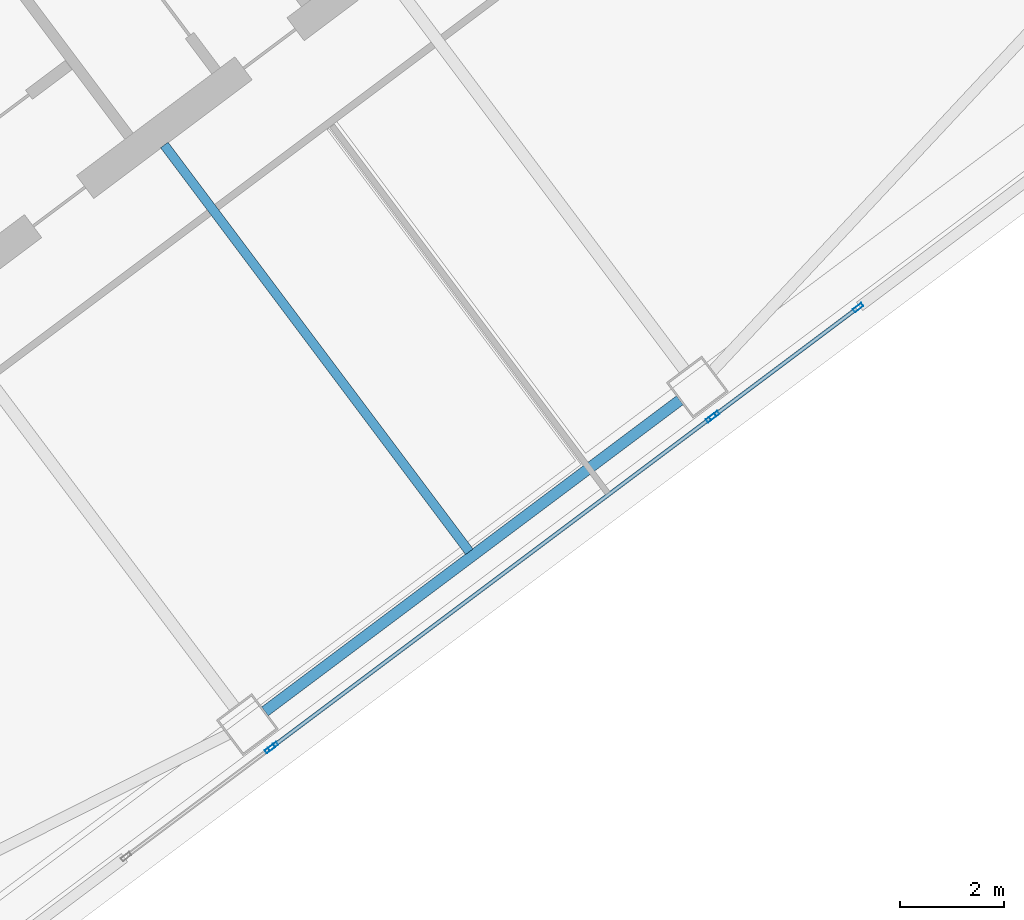
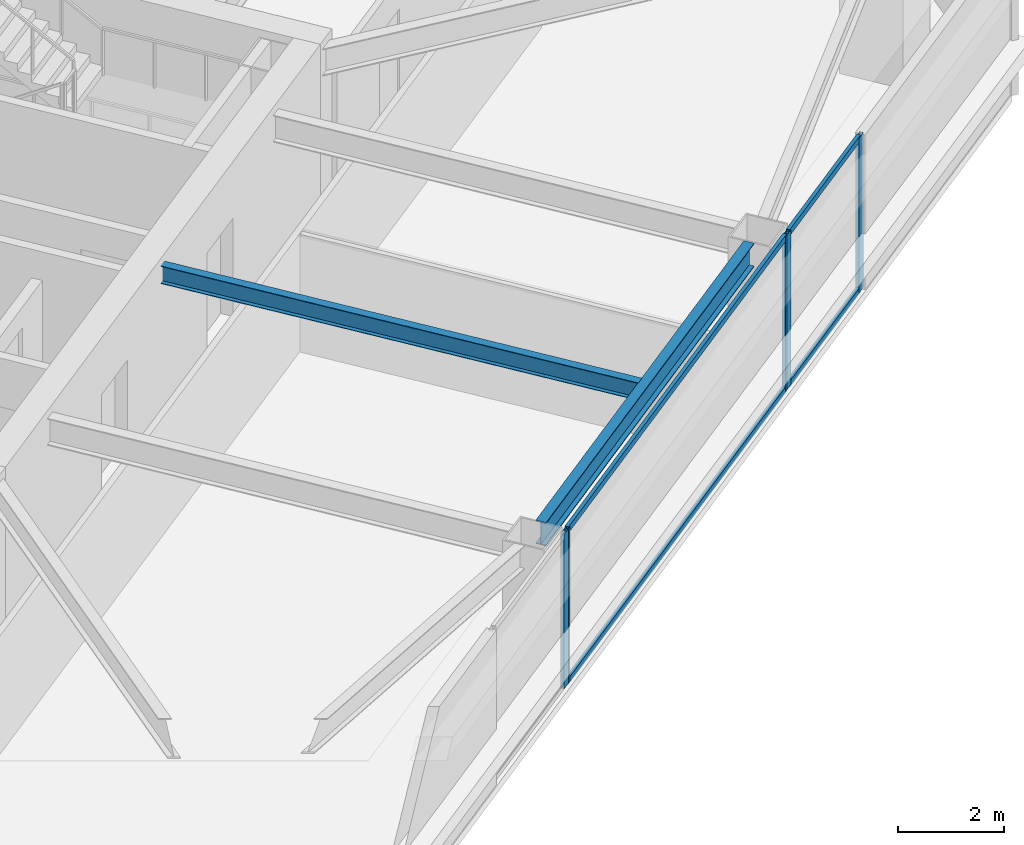
# One storey, part 22 of 40: 9 members, 2 beams, 3 elements without a shape of their own.
"""IFC4 building model written with IfcOpenShell, lengths in metres."""

from ifc_helpers import new_model, si_unit, direction, frame, origin, origin_2d, place, context, subcontext, project, spatial, hollow_rectangle, i_section, extrude, material, material_profile, profile_set, type_object, element, aggregate, save


model = new_model("IFC4")

# Units and contexts
model_context = context("Model", 3, precision=1e-05, world=origin(), true_north=direction((0.0, 1.0)))
body_context = subcontext(model_context, "Body", "Model", "MODEL_VIEW")
ifc_project = project(units=[si_unit("LENGTHUNIT", "METRE"), si_unit("AREAUNIT", "SQUARE_METRE"), si_unit("VOLUMEUNIT", "CUBIC_METRE"), si_unit("PLANEANGLEUNIT", "RADIAN"), si_unit("MASSUNIT", "GRAM", prefix="KILO")], contexts=[model_context])

# Site, building, storey
site_placement = place(None, origin())
site = spatial("IfcSite", under=ifc_project, at=site_placement, CompositionType="ELEMENT")
building_placement = place(site_placement, origin())
building = spatial("IfcBuilding", under=site, at=building_placement, Name="Tashvorn Skyway Center", CompositionType="ELEMENT")
storey_placement = place(building_placement, frame((0.0, 0.0, 142.800048828125)))
storey = spatial("IfcBuildingStorey", under=building, at=storey_placement, Name="L38", CompositionType="ELEMENT", Elevation=142.800048828125)

# Beams
ifc_material_1 = material(Name="Steel ASTM A992 Grade 50", Category="steel")
ifc_material_profile_1 = material_profile(ifc_material_1, i_section(OverallWidth=0.177978515625, OverallDepth=0.406005859375, WebThickness=0.0078125, FlangeThickness=0.0126953125, at=origin_2d()), Name="W16X40")
ifc_profile_set_1 = profile_set([ifc_material_profile_1], Name="Steel ASTM A992 Grade 50")
beam_type_1 = type_object("IfcBeamType", Name="BM-JOIST-W16X40", PredefinedType="JOIST", material=ifc_profile_set_1)
beam_1_placement = place(storey_placement, frame((118.674072265625, 25.76806640625, 3.1669921875), z_axis=(0.599991997409, -0.800006001881, 0.0), x_axis=(0.800006001881, 0.599991997409, 0.0)))
element("IfcBeam", 1, at=beam_1_placement, inside=storey, type_object=beam_type_1, Name="Tower 2 L38 Secondary Composite Joist JS", PredefinedType="JOIST", context=body_context, shape_type="SweptSolid", body=[
    extrude(i_section(OverallWidth=0.177978515625, OverallDepth=0.406005859375, WebThickness=0.0078125, FlangeThickness=0.0126953125, at=origin_2d()), origin(), (0.0, 0.0, 1.0), 9.762451171875),
])
ifc_material_profile_2 = material_profile(ifc_material_1, i_section(OverallWidth=0.2109375, OverallDepth=0.5390625, WebThickness=0.01171875, FlangeThickness=0.018798828125, at=origin_2d()), Name="W21X73")
ifc_profile_set_2 = profile_set([ifc_material_profile_2], Name="Steel ASTM A992 Grade 50")
beam_type_2 = type_object("IfcBeamType", Name="BM-SPANDREL-W21X73", PredefinedType="SPANDREL", material=ifc_profile_set_2)
beam_2_placement = place(storey_placement, frame((120.60595703125, 14.89208984375, 3.100341796875), z_axis=(0.800008824351, 0.599988234018, 0.0), x_axis=(-0.599988234018, 0.800008824351, 0.0)))
element("IfcBeam", 2, at=beam_2_placement, inside=storey, type_object=beam_type_2, Name="Tower 2 L38 Spandrel Beam 02", PredefinedType="SPANDREL", context=body_context, shape_type="SweptSolid", body=[
    extrude(i_section(OverallWidth=0.2109375, OverallDepth=0.5390625, WebThickness=0.01171875, FlangeThickness=0.018798828125, at=origin_2d()), origin(), (0.0, 0.0, 1.0), 9.9599609375),
])

# Curtain wall, members
ifc_material_2 = material(Name="Thermally broken bronze-anodized aluminium 6063-T6", Category="aluminium")
curtain_wall_type = type_object("IfcCurtainWallType", Name="CW-CW-Z3", PredefinedType="NOTDEFINED", material=ifc_material_2)
curtain_wall_1_placement = place(storey_placement, origin())
curtain_wall_1 = element("IfcCurtainWall", 3, at=curtain_wall_1_placement, inside=storey, type_object=curtain_wall_type, Name="Tower 2 L38 South Unitised Curtain Wall Glazing Group 1", PredefinedType="NOTDEFINED")
ifc_material_profile_3 = material_profile(ifc_material_2, hollow_rectangle(XDim=0.074951171875, YDim=0.199951171875, WallThickness=0.00439453125, at=origin_2d()), Name="ALU-MULL-75x200")
ifc_profile_set_3 = profile_set([ifc_material_profile_3], Name="Thermally broken bronze-anodized aluminium 6063-T6")
member_type_1 = type_object("IfcMemberType", Name="CWM-CW-Z3", PredefinedType="MULLION", material=ifc_profile_set_3)
member_1_placement = place(storey_placement, frame((131.995849609375, 22.646728515625, 0.0), z_axis=(0.0, 0.0, 1.0), x_axis=(0.599995465948, -0.800003400519, 0.0)))
member_1 = element("IfcMember", 4, at=member_1_placement, type_object=member_type_1, Name="CW-Z3 mullion 1", PredefinedType="MULLION", context=body_context, shape_type="SweptSolid", body=[
    extrude(hollow_rectangle(XDim=0.074951171875, YDim=0.199951171875, WallThickness=0.00439453125, at=origin_2d()), origin(), (0.0, 0.0, 1.0), 3.550048828125),
])
member_2_placement = place(storey_placement, frame((129.232666015625, 20.574462890625, 0.0), z_axis=(0.0, 0.0, 1.0), x_axis=(0.599995465948, -0.800003400519, 0.0)))
member_2 = element("IfcMember", 5, at=member_2_placement, type_object=member_type_1, Name="CW-Z3 mullion 2", PredefinedType="MULLION", context=body_context, shape_type="SweptSolid", body=[
    extrude(hollow_rectangle(XDim=0.074951171875, YDim=0.199951171875, WallThickness=0.00439453125, at=origin_2d()), origin(), (0.0, 0.0, 1.0), 3.550048828125),
])

curtain_wall_2_placement = place(storey_placement, origin())
curtain_wall_2 = element("IfcCurtainWall", 6, at=curtain_wall_2_placement, inside=storey, type_object=curtain_wall_type, Name="Tower 2 L38 South Unitised Curtain Wall Glazing Group 2", PredefinedType="NOTDEFINED")
member_3_placement = place(storey_placement, frame((129.172607421875, 20.529541015625, 0.0), z_axis=(0.0, 0.0, 1.0), x_axis=(0.599996977339, -0.800002266987, 0.0)))
member_3 = element("IfcMember", 7, at=member_3_placement, type_object=member_type_1, Name="CW-Z3 mullion 1", PredefinedType="MULLION", context=body_context, shape_type="SweptSolid", body=[
    extrude(hollow_rectangle(XDim=0.074951171875, YDim=0.199951171875, WallThickness=0.00439453125, at=origin_2d()), origin(), (0.0, 0.0, 1.0), 3.550048828125),
])
member_4_placement = place(storey_placement, frame((120.76318359375, 14.222412109375, 0.0), z_axis=(0.0, 0.0, 1.0), x_axis=(0.599996977339, -0.800002266987, 0.0)))
member_4 = element("IfcMember", 8, at=member_4_placement, type_object=member_type_1, Name="CW-Z3 mullion 2", PredefinedType="MULLION", context=body_context, shape_type="SweptSolid", body=[
    extrude(hollow_rectangle(XDim=0.074951171875, YDim=0.199951171875, WallThickness=0.00439453125, at=origin_2d()), origin(), (0.0, 0.0, 1.0), 3.550048828125),
])

# Curtain wall, member
curtain_wall_3_placement = place(storey_placement, origin())
curtain_wall_3 = element("IfcCurtainWall", 9, at=curtain_wall_3_placement, inside=storey, type_object=curtain_wall_type, Name="Tower 2 L38 South Unitised Curtain Wall Glazing Group 3", PredefinedType="NOTDEFINED")
member_5_placement = place(storey_placement, frame((120.703369140625, 14.177490234375, 0.0), z_axis=(0.0, 0.0, 1.0), x_axis=(0.599995465948, -0.800003400519, 0.0)))
member_5 = element("IfcMember", 10, at=member_5_placement, type_object=member_type_1, Name="CW-Z3 mullion 1", PredefinedType="MULLION", context=body_context, shape_type="SweptSolid", body=[
    extrude(hollow_rectangle(XDim=0.074951171875, YDim=0.199951171875, WallThickness=0.00439453125, at=origin_2d()), origin(), (0.0, 0.0, 1.0), 3.550048828125),
])
aggregate(curtain_wall_3, [member_5])

# Member
ifc_material_profile_4 = material_profile(ifc_material_2, hollow_rectangle(XDim=0.074951171875, YDim=0.139892578125, WallThickness=0.004150390625, at=origin_2d()), Name="ALU-TRAN-75x140")
ifc_profile_set_4 = profile_set([ifc_material_profile_4], Name="Thermally broken bronze-anodized aluminium 6063-T6")
member_type_2 = type_object("IfcMemberType", Name="CWT-CW-Z3", PredefinedType="USERDEFINED", material=ifc_profile_set_4)
member_6_placement = place(storey_placement, frame((131.9658203125, 22.624267578125, 0.037353515625), z_axis=(-0.8, -0.6, 0.0), x_axis=(0.6, -0.8, 0.0)))
member_6 = element("IfcMember", 11, at=member_6_placement, type_object=member_type_2, Name="CW-Z3 transom 1.1", ObjectType="TRANSOM", PredefinedType="USERDEFINED", context=body_context, shape_type="SweptSolid", body=[
    extrude(hollow_rectangle(XDim=0.074951171875, YDim=0.139892578125, WallThickness=0.004150390625, at=origin_2d()), origin(), (0.0, 0.0, 1.0), 3.37890625),
])

member_7_placement = place(storey_placement, frame((131.9658203125, 22.624267578125, 3.512451171875), z_axis=(-0.8, -0.6, 0.0), x_axis=(0.6, -0.8, 0.0)))
member_7 = element("IfcMember", 12, at=member_7_placement, type_object=member_type_2, Name="CW-Z3 transom 1.2", ObjectType="TRANSOM", PredefinedType="USERDEFINED", context=body_context, shape_type="SweptSolid", body=[
    extrude(hollow_rectangle(XDim=0.074951171875, YDim=0.139892578125, WallThickness=0.004150390625, at=origin_2d()), origin(), (0.0, 0.0, 1.0), 3.37890625),
])

aggregate(curtain_wall_1, [member_1, member_2, member_6, member_7])

member_8_placement = place(storey_placement, frame((129.142578125, 20.507080078125, 0.037353515625), z_axis=(-0.800002807101, -0.599996257181, 0.0), x_axis=(0.599996257181, -0.800002807101, 0.0)))
member_8 = element("IfcMember", 13, at=member_8_placement, type_object=member_type_2, Name="CW-Z3 transom 1.1", ObjectType="TRANSOM", PredefinedType="USERDEFINED", context=body_context, shape_type="SweptSolid", body=[
    extrude(hollow_rectangle(XDim=0.074951171875, YDim=0.139892578125, WallThickness=0.004150390625, at=origin_2d()), origin(), (0.0, 0.0, 1.0), 10.436767578125),
])

member_9_placement = place(storey_placement, frame((129.142578125, 20.507080078125, 3.512451171875), z_axis=(-0.800002807101, -0.599996257181, 0.0), x_axis=(0.599996257181, -0.800002807101, 0.0)))
member_9 = element("IfcMember", 14, at=member_9_placement, type_object=member_type_2, Name="CW-Z3 transom 1.2", ObjectType="TRANSOM", PredefinedType="USERDEFINED", context=body_context, shape_type="SweptSolid", body=[
    extrude(hollow_rectangle(XDim=0.074951171875, YDim=0.139892578125, WallThickness=0.004150390625, at=origin_2d()), origin(), (0.0, 0.0, 1.0), 10.436767578125),
])

aggregate(curtain_wall_2, [member_3, member_4, member_8, member_9])

save(model, "model.ifc")
